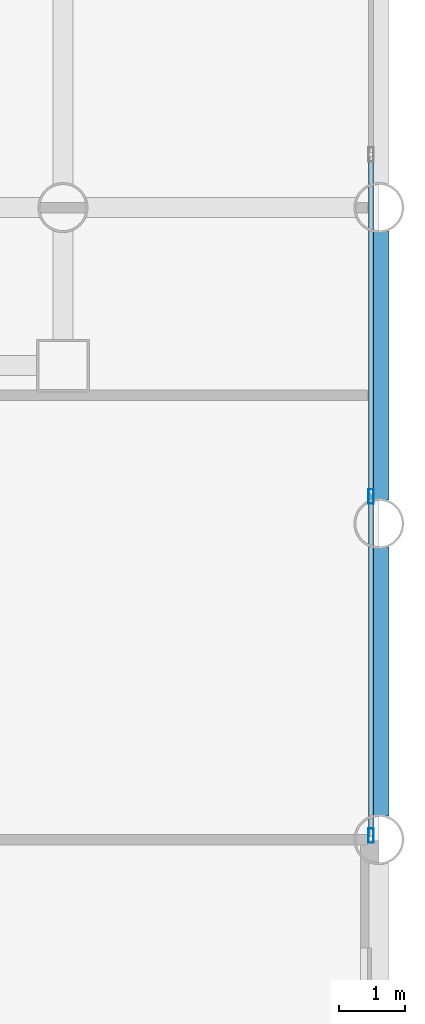
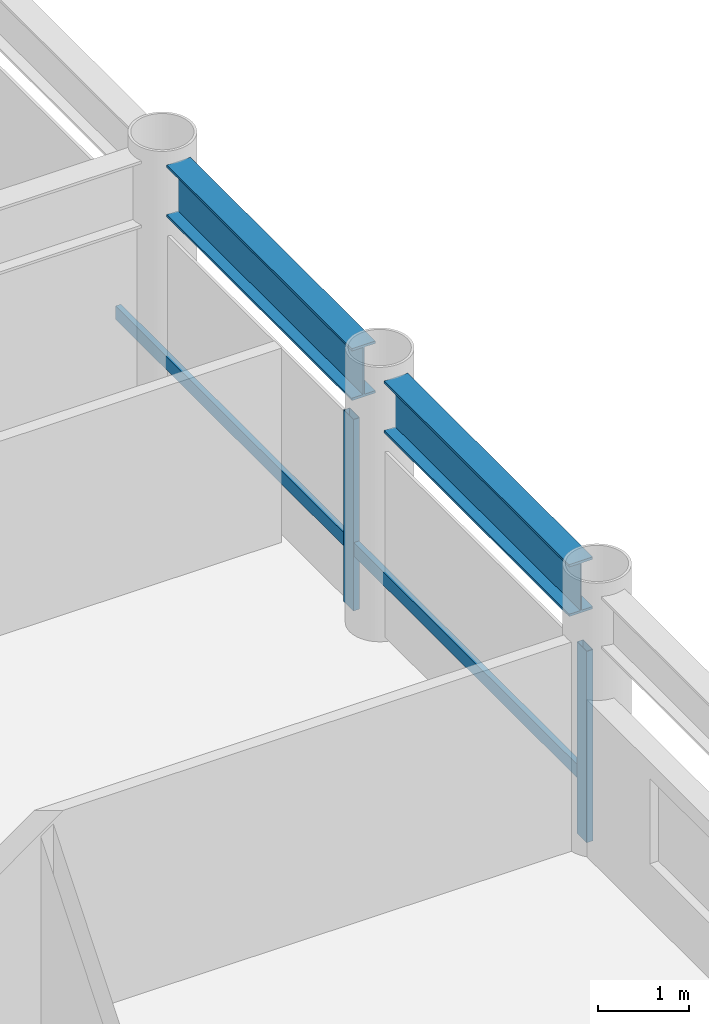
# One storey, part 8 of 21: 4 members, 2 beams, 1 element without a shape of its own.
"""IFC4 building model written with IfcOpenShell, lengths in metres."""

import ifcopenshell
import ifcopenshell.guid

model = None  # the IFC model being written
_history = None  # IfcOwnerHistory: only IFC2X3 demands one
_inside = {}  # id of a spatial element -> (the spatial element, [elements in it])
_under = {}  # id of a project, library or spatial element -> (it, [spatial elements below it])
_declared = {}  # id of a project -> (the project, [libraries it declares])
_typed = {}  # id of a type object -> (the type object, [elements of that type])
_made_of = {}  # id of a material, layer set ... -> (it, [elements and type objects made of it])


def new_model(schema):
    """Start an empty IFC model of exactly this schema.

    Asked for "IFC4X3", IfcOpenShell would pick the latest addendum, in which some entities
    have other attributes; the version numbers below select the first issue.
    IFC2X3 requires an IfcOwnerHistory on every rooted entity: one is made here for all.
    """
    global model, _history
    if schema == "IFC4X3":
        model = ifcopenshell.file(schema_version=(4, 3, 0, 0))
    else:
        model = ifcopenshell.file(schema=schema)
    _inside.clear()
    _under.clear()
    _declared.clear()
    _typed.clear()
    _made_of.clear()
    _history = None
    if model.schema == "IFC2X3":
        org = make("IfcOrganization", Name="unknown")
        user = make(
            "IfcPersonAndOrganization",
            ThePerson=make("IfcPerson", FamilyName="unknown"),
            TheOrganization=org,
        )
        app = make(
            "IfcApplication",
            ApplicationDeveloper=org,
            Version="unknown",
            ApplicationFullName="unknown",
            ApplicationIdentifier="unknown",
        )
        _history = make(
            "IfcOwnerHistory",
            OwningUser=user,
            OwningApplication=app,
            ChangeAction="ADDED",
            CreationDate=0,
        )
    return model


def make(cls, **values):
    """One entity of the class cls with the attributes given. An attribute that is None is left unset."""
    return model.create_entity(
        cls, **{name: value for name, value in values.items() if value is not None}
    )


def rooted(cls, **values):
    """An entity with a GlobalId (a new one), such as an element, a storey or a relation."""
    return make(cls, GlobalId=ifcopenshell.guid.new(), OwnerHistory=_history, **values)


def si_unit(unit_type, name, prefix=None):
    """IfcSIUnit, for example si_unit("LENGTHUNIT", "METRE", prefix="MILLI")."""
    return make("IfcSIUnit", UnitType=unit_type, Prefix=prefix, Name=name)


def assignment(units):
    """IfcUnitAssignment: the units of a project."""
    return None if units is None else make("IfcUnitAssignment", Units=units)


def point(xyz):
    """IfcCartesianPoint."""
    return None if xyz is None else make("IfcCartesianPoint", Coordinates=xyz)


def direction(xyz):
    """IfcDirection."""
    return None if xyz is None else make("IfcDirection", DirectionRatios=xyz)


def frame(location, z_axis=None, x_axis=None):
    """IfcAxis2Placement3D, a coordinate frame: its origin and axes. An axis left out is left unset."""
    return make(
        "IfcAxis2Placement3D",
        Location=point(location),
        Axis=direction(z_axis),
        RefDirection=direction(x_axis),
    )


def frame_2d(location, x_axis=None):
    """IfcAxis2Placement2D, a coordinate frame in the plane: its origin and x axis."""
    return make(
        "IfcAxis2Placement2D", Location=point(location), RefDirection=direction(x_axis)
    )


def origin():
    """The frame at (0, 0, 0) with its axes left unset."""
    return frame((0.0, 0.0, 0.0))


def origin_2d():
    """The frame at (0, 0) in the plane with its x axis left unset."""
    return frame_2d((0.0, 0.0))


def place(relative_to, where):
    """IfcLocalPlacement: puts the frame where relative to a parent placement (None: the world)."""
    return make(
        "IfcLocalPlacement", PlacementRelTo=relative_to, RelativePlacement=where
    )


def context(
    kind, dimensions, precision=None, world=None, true_north=None, identifier=None
):
    """IfcGeometricRepresentationContext, for example the 3D "Model" context."""
    return make(
        "IfcGeometricRepresentationContext",
        ContextIdentifier=identifier,
        ContextType=kind,
        CoordinateSpaceDimension=dimensions,
        Precision=precision,
        WorldCoordinateSystem=world,
        TrueNorth=true_north,
    )


def subcontext(parent, identifier, kind, view, scale=None):
    """IfcGeometricRepresentationSubContext, for example "Body" below "Model"."""
    return make(
        "IfcGeometricRepresentationSubContext",
        ContextIdentifier=identifier,
        ContextType=kind,
        ParentContext=parent,
        TargetScale=scale,
        TargetView=view,
    )


def project(units=None, contexts=None):
    """IfcProject with its units and contexts."""
    return rooted(
        "IfcProject",
        Name="project",
        RepresentationContexts=contexts,
        UnitsInContext=assignment(units),
    )


def spatial(cls, under=None, at=None, **own):
    """A site, building, storey or space (cls), placed at a placement, below another one or the project."""
    s = rooted(cls, ObjectPlacement=at, **own)
    if under is not None:
        _under.setdefault(under.id(), (under, []))[1].append(s)
    return s


def profile(cls, at=None, kind="AREA", **sizes):
    """A parametric profile (cls). Its sizes go by their IFC names, for example OverallWidth=200.0."""
    return make(cls, ProfileType=kind, Position=at, **sizes)


def hollow_rectangle(**sizes):
    """IfcRectangleHollowProfileDef."""
    return profile("IfcRectangleHollowProfileDef", **sizes)


def i_section(**sizes):
    """IfcIShapeProfileDef."""
    return profile("IfcIShapeProfileDef", **sizes)


def extrude(swept, where, along, depth):
    """IfcExtrudedAreaSolid: the profile swept, set in the frame where, extruded along a direction by depth."""
    return make(
        "IfcExtrudedAreaSolid",
        SweptArea=swept,
        Position=where,
        ExtrudedDirection=direction(along),
        Depth=depth,
    )


def shape(context_of_items, identifier, shape_type, items):
    """IfcShapeRepresentation: the items that make up one representation, for example the "Body"."""
    return make(
        "IfcShapeRepresentation",
        ContextOfItems=context_of_items,
        RepresentationIdentifier=identifier,
        RepresentationType=shape_type,
        Items=items,
    )


def material(Name=None, Category=None):
    """IfcMaterial."""
    return make("IfcMaterial", Name=Name, Category=Category)


def layer(
    of_material, thickness, ventilated=None, Name=None, Category=None, Priority=None
):
    """IfcMaterialLayer: one layer of a wall or slab, of a material (None: an air gap)."""
    return make(
        "IfcMaterialLayer",
        Material=of_material,
        LayerThickness=thickness,
        IsVentilated=ventilated,
        Name=Name,
        Category=Category,
        Priority=Priority,
    )


def layer_set(layers, Name=None):
    """IfcMaterialLayerSet."""
    return make("IfcMaterialLayerSet", MaterialLayers=layers, LayerSetName=Name)


def material_profile(
    of_material, cross_section, Name=None, Category=None, Priority=None
):
    """IfcMaterialProfile: a cross section and its material."""
    return make(
        "IfcMaterialProfile",
        Name=Name,
        Material=of_material,
        Profile=cross_section,
        Priority=Priority,
        Category=Category,
    )


def profile_set(profiles, Name=None, composite=None):
    """IfcMaterialProfileSet."""
    return make(
        "IfcMaterialProfileSet",
        Name=Name,
        MaterialProfiles=profiles,
        CompositeProfile=composite,
    )


def made_of(thing, what):
    """Note that an element or type object is made of a material, layer set ...; save() writes the relation."""
    if what is not None:
        _made_of.setdefault(what.id(), (what, []))[1].append(thing)
    return thing


def type_object(cls, material=None, **own):
    """A type object (cls), such as IfcWallType, which elements share."""
    return made_of(rooted(cls, **own), material)


def element(
    cls,
    number,
    at=None,
    inside=None,
    cuts=None,
    type_object=None,
    material=None,
    context=None,
    identifier="Body",
    shape_type=None,
    held_by="IfcProductDefinitionShape",
    body=None,
    shapes=None,
    **own,
):
    """One element of the class cls, such as IfcWall. Its Tag is "e" and its number.

    at: its placement. inside: the storey or other place that contains it. cuts: it is an
    opening in that element (IfcRelVoidsElement). A single representation is given by context,
    identifier, shape_type and body (its items); several are given by shapes. held_by: the class
    of the entity that holds the representations. save() writes the other relations.
    """
    e = rooted(cls, Tag="e%d" % number, ObjectPlacement=at, **own)
    if body is not None:
        shapes = [shape(context, identifier, shape_type, body)]
    if shapes is not None:
        e.Representation = make(held_by, Representations=shapes)
    if inside is not None:
        _inside.setdefault(inside.id(), (inside, []))[1].append(e)
    if cuts is not None:
        rooted(
            "IfcRelVoidsElement", RelatingBuildingElement=cuts, RelatedOpeningElement=e
        )
    if type_object is not None:
        _typed.setdefault(type_object.id(), (type_object, []))[1].append(e)
    return made_of(e, material)


def aggregate(whole, parts):
    """IfcRelAggregates: a whole, such as a stair, and the parts it consists of."""
    return rooted("IfcRelAggregates", RelatingObject=whole, RelatedObjects=parts)


def save(model, path):
    """Write the relations noted so far, then the file.

    IfcRelAggregates (storeys below a building ...), IfcRelContainedInSpatialStructure (elements
    in a storey), IfcRelDefinesByType, IfcRelAssociatesMaterial and IfcRelDeclares: one each for
    every whole, place, type object, material and project.
    """
    for whole, parts in _under.values():
        aggregate(whole, parts)
    for where, things in _inside.values():
        rooted(
            "IfcRelContainedInSpatialStructure",
            RelatedElements=things,
            RelatingStructure=where,
        )
    for kind, things in _typed.values():
        rooted("IfcRelDefinesByType", RelatedObjects=things, RelatingType=kind)
    for what, things in _made_of.values():
        rooted("IfcRelAssociatesMaterial", RelatedObjects=things, RelatingMaterial=what)
    for by, libraries in _declared.values():
        rooted("IfcRelDeclares", RelatingContext=by, RelatedDefinitions=libraries)
    model.write(path)


model = new_model("IFC4")

# Units and contexts
model_context = context("Model", 3, precision=1e-05, world=origin(), true_north=direction((0.0, 1.0)))
body_context = subcontext(model_context, "Body", "Model", "MODEL_VIEW")
ifc_project = project(units=[si_unit("LENGTHUNIT", "METRE"), si_unit("AREAUNIT", "SQUARE_METRE"), si_unit("VOLUMEUNIT", "CUBIC_METRE"), si_unit("PLANEANGLEUNIT", "RADIAN"), si_unit("MASSUNIT", "GRAM", prefix="KILO")], contexts=[model_context])

# Site, building, storey
site_placement = place(None, origin())
site = spatial("IfcSite", under=ifc_project, at=site_placement, CompositionType="ELEMENT")
building_placement = place(site_placement, origin())
building = spatial("IfcBuilding", under=site, at=building_placement, Name="Kallvorn Hotel Tower", CompositionType="ELEMENT")
storey_placement = place(building_placement, frame((0.0, 0.0, 41.10009765625)))
storey = spatial("IfcBuildingStorey", under=building, at=storey_placement, Name="L08", CompositionType="ELEMENT", Elevation=41.10009765625)

# Beams
ifc_material_1 = material(Name="Structural steel S355JR", Category="steel")
ifc_material_profile_1 = material_profile(ifc_material_1, i_section(OverallWidth=0.300048828125, OverallDepth=0.699951171875, WebThickness=0.01708984375, FlangeThickness=0.031982421875, at=origin_2d()), Name="HE 700 B")
ifc_profile_set_1 = profile_set([ifc_material_profile_1], Name="Structural steel S355JR")
beam_type = type_object("IfcBeamType", Name="BM_HE700B", PredefinedType="BEAM", material=ifc_profile_set_1)
beam_1_placement = place(storey_placement, frame((28.800048828125, 0.35595703125, 3.169921875), z_axis=(0.0, 1.0, 0.0), x_axis=(-1.0, 0.0, 0.0)))
element("IfcBeam", 1, at=beam_1_placement, inside=storey, type_object=beam_type, Name="L09 Primary Y-Girder 147", PredefinedType="BEAM", context=body_context, shape_type="SweptSolid", body=[
    extrude(i_section(OverallWidth=0.300048828125, OverallDepth=0.699951171875, WebThickness=0.01708984375, FlangeThickness=0.031982421875, at=origin_2d()), origin(), (0.0, 0.0, 1.0), 4.088134765625),
])
beam_2_placement = place(storey_placement, frame((28.800048828125, 5.156005859375, 3.169921875), z_axis=(0.0, 1.0, 0.0), x_axis=(-1.0, 0.0, 0.0)))
element("IfcBeam", 2, at=beam_2_placement, inside=storey, type_object=beam_type, Name="L09 Primary Y-Girder 148", PredefinedType="BEAM", context=body_context, shape_type="SweptSolid", body=[
    extrude(i_section(OverallWidth=0.300048828125, OverallDepth=0.699951171875, WebThickness=0.01708984375, FlangeThickness=0.031982421875, at=origin_2d()), origin(), (0.0, 0.0, 1.0), 4.087890625),
])

# Curtain wall, members
ifc_material_2 = material(Name="Thermally broken black-anodised aluminium AA 6063-T6", Category="aluminium")
ifc_layer = layer(ifc_material_2, 0.199951171875)
ifc_layer_set = layer_set([ifc_layer], Name="CW_SYS_3_HOTEL_LOW")
curtain_wall_type = type_object("IfcCurtainWallType", Name="CW_SYS_3_HOTEL_LOW", PredefinedType="USERDEFINED", material=ifc_layer_set)
curtain_wall_placement = place(storey_placement, origin())
curtain_wall = element("IfcCurtainWall", 3, at=curtain_wall_placement, inside=storey, type_object=curtain_wall_type, Name="L08 Dark-Glass Curtain Wall CW-L08-EN", ObjectType="UNITISED CURTAIN WALL", PredefinedType="USERDEFINED")
ifc_material_3 = material(Name="Thermally broken black-anodised aluminium AA 6063-T6", Category="aluminium")
ifc_material_profile_2 = material_profile(ifc_material_3, hollow_rectangle(XDim=0.080078125, YDim=0.219970703125, WallThickness=0.0048828125, at=origin_2d()), Name="MUL 220x80")
ifc_profile_set_2 = profile_set([ifc_material_profile_2], Name="Thermally broken black-anodised aluminium AA 6063-T6")
member_type_1 = type_object("IfcMemberType", Name="CW_MULLION_220x80", PredefinedType="MULLION", material=ifc_profile_set_2)
member_1_placement = place(storey_placement, frame((28.679931640625, 0.06005859375, 0.02001953125), z_axis=(0.0, 0.0, 1.0), x_axis=(1.0, 0.0, 0.0)))
member_1 = element("IfcMember", 4, at=member_1_placement, type_object=member_type_1, Name="CW-L08-EN Mullion 00", PredefinedType="MULLION", context=body_context, shape_type="SweptSolid", body=[
    extrude(hollow_rectangle(XDim=0.080078125, YDim=0.219970703125, WallThickness=0.0048828125, at=origin_2d()), origin(), (0.0, 0.0, 1.0), 2.579833984375),
])
member_2_placement = place(storey_placement, frame((28.679931640625, 5.21337890625, 0.02001953125), z_axis=(0.0, 0.0, 1.0), x_axis=(1.0, 0.0, 0.0)))
member_2 = element("IfcMember", 5, at=member_2_placement, type_object=member_type_1, Name="CW-L08-EN Mullion 01", PredefinedType="MULLION", context=body_context, shape_type="SweptSolid", body=[
    extrude(hollow_rectangle(XDim=0.080078125, YDim=0.219970703125, WallThickness=0.0048828125, at=origin_2d()), origin(), (0.0, 0.0, 1.0), 2.579833984375),
])
ifc_material_4 = material(Name="Thermally broken black-anodised aluminium AA 6063-T6", Category="aluminium")
ifc_material_profile_3 = material_profile(ifc_material_4, hollow_rectangle(XDim=0.070068359375, YDim=0.179931640625, WallThickness=0.00390625, at=origin_2d()), Name="TRN 180x70")
ifc_profile_set_3 = profile_set([ifc_material_profile_3], Name="Thermally broken black-anodised aluminium AA 6063-T6")
member_type_2 = type_object("IfcMemberType", Name="CW_TRANSOM_180x70", PredefinedType="USERDEFINED", material=ifc_profile_set_3)
member_3_placement = place(storey_placement, frame((28.679931640625, 0.06005859375, 0.849853515625), z_axis=(0.0, 1.0, 0.0), x_axis=(-1.0, 0.0, 0.0)))
member_3 = element("IfcMember", 6, at=member_3_placement, type_object=member_type_2, Name="CW-L08-EN Transom 00M", ObjectType="TRANSOM", PredefinedType="USERDEFINED", context=body_context, shape_type="SweptSolid", body=[
    extrude(hollow_rectangle(XDim=0.070068359375, YDim=0.179931640625, WallThickness=0.00390625, at=origin_2d()), origin(), (0.0, 0.0, 1.0), 5.11328125),
])
member_4_placement = place(storey_placement, frame((28.679931640625, 5.25341796875, 0.849853515625), z_axis=(0.0, 1.0, 0.0), x_axis=(-1.0, 0.0, 0.0)))
member_4 = element("IfcMember", 7, at=member_4_placement, type_object=member_type_2, Name="CW-L08-EN Transom 01M", ObjectType="TRANSOM", PredefinedType="USERDEFINED", context=body_context, shape_type="SweptSolid", body=[
    extrude(hollow_rectangle(XDim=0.070068359375, YDim=0.179931640625, WallThickness=0.00390625, at=origin_2d()), origin(), (0.0, 0.0, 1.0), 5.11328125),
])
aggregate(curtain_wall, [member_1, member_2, member_3, member_4])

save(model, "model.ifc")
